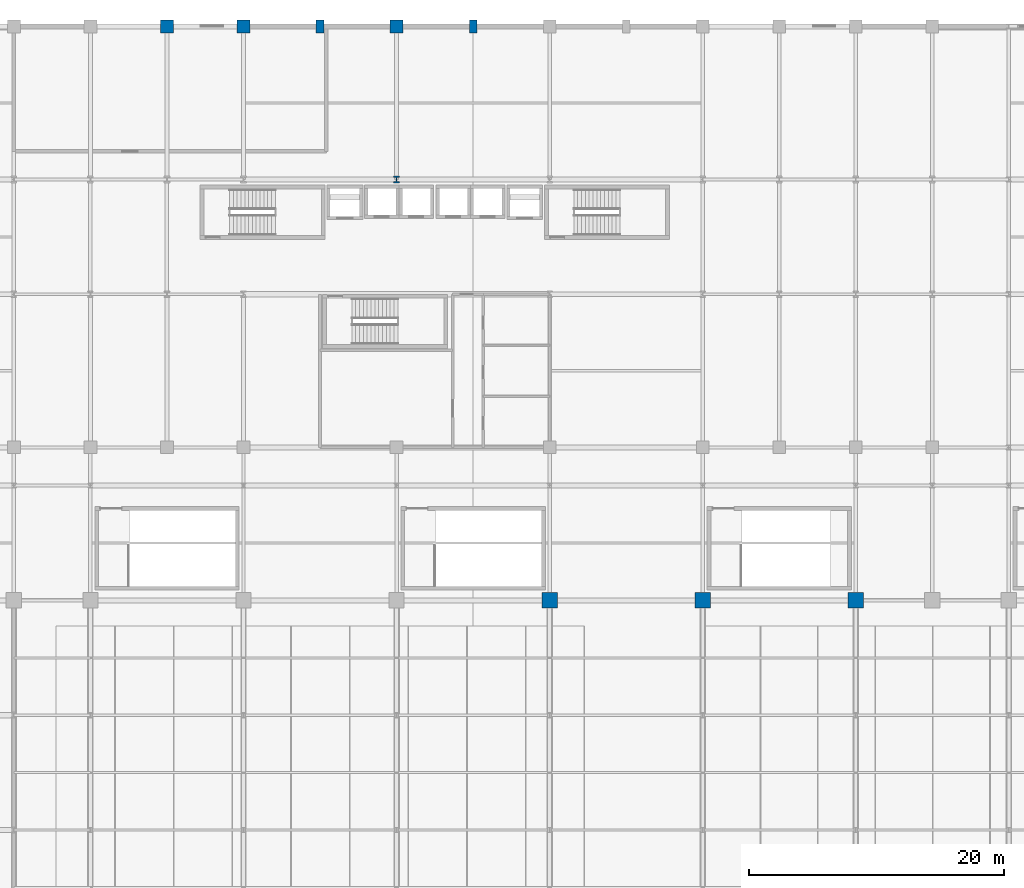
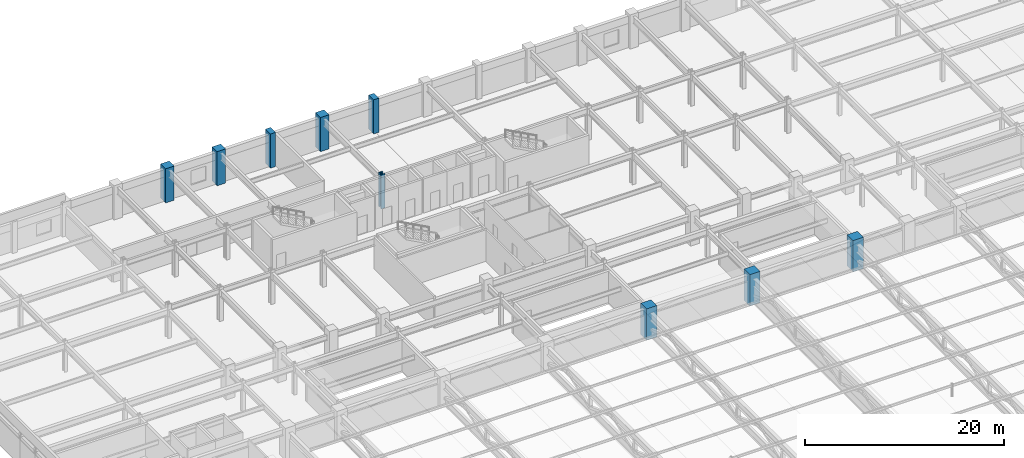
# One storey, part 10 of 108: 9 columns.
"""IFC4 building model written with IfcOpenShell, lengths in metres."""

from ifc_helpers import new_model, si_unit, direction, frame, origin, origin_2d, place, context, subcontext, project, spatial, rectangle, i_section, extrude, material, material_profile, profile_set, type_object, element, save


model = new_model("IFC4")

# Units and contexts
model_context = context("Model", 3, precision=1e-05, world=origin(), true_north=direction((0.0, 1.0)))
body_context = subcontext(model_context, "Body", "Model", "MODEL_VIEW")
ifc_project = project(units=[si_unit("LENGTHUNIT", "METRE"), si_unit("AREAUNIT", "SQUARE_METRE"), si_unit("VOLUMEUNIT", "CUBIC_METRE"), si_unit("PLANEANGLEUNIT", "RADIAN"), si_unit("MASSUNIT", "GRAM", prefix="KILO")], contexts=[model_context])

# Site, building, storey
site_placement = place(None, origin())
site = spatial("IfcSite", under=ifc_project, at=site_placement, CompositionType="ELEMENT")
building_placement = place(site_placement, origin())
building = spatial("IfcBuilding", under=site, at=building_placement, Name="Kaldorvane Square Convention Centre", CompositionType="ELEMENT")
storey_placement = place(building_placement, frame((0.0, 0.0, 23.399993896484375)))
storey = spatial("IfcBuildingStorey", under=building, at=storey_placement, Name="L04", CompositionType="ELEMENT", Elevation=23.399993896484375)

# Columns
ifc_material_1 = material(Name="Concrete f'c = 55 MPa (Normalweight)", Category="concrete")
ifc_material_profile_1 = material_profile(ifc_material_1, rectangle(XDim=1.1999969482421875, YDim=1.1999969482421875, at=origin_2d()), Name="RC1200X1200")
ifc_profile_set_1 = profile_set([ifc_material_profile_1], Name="Concrete f'c = 55 MPa (Normalweight)")
column_type_1 = type_object("IfcColumnType", Name="COL-MEGA-1200", PredefinedType="COLUMN", material=ifc_profile_set_1)
for number, where, z_axis, x_axis, name in (
    (1, (66.0, 72.0, 0.0), (0.0, 0.0, 1.0), (1.0, 0.0, 0.0), "Column MC-02 (L04)"),
    (2, (78.0, 72.0, 0.0), (0.0, 0.0, 1.0), (1.0, 0.0, 0.0), "Column MC-02 (L04)"),
    (3, (90.0, 72.0, 0.0), (0.0, 0.0, 1.0), (1.0, 0.0, 0.0), "Column MC-02 (L04)"),
):
    element("IfcColumn", number, at=place(storey_placement, frame(where, z_axis=z_axis, x_axis=x_axis)), inside=storey, type_object=column_type_1, Name=name, PredefinedType="COLUMN", context=body_context, shape_type="SweptSolid", body=[
        extrude(rectangle(XDim=1.1999969482421875, YDim=1.1999969482421875, at=origin_2d()), origin(), (0.0, 0.0, 1.0), 3.850006103515625),
    ])
ifc_material_profile_2 = material_profile(ifc_material_1, rectangle(XDim=1.0, YDim=1.0, at=origin_2d()), Name="RC1000X1000")
ifc_profile_set_2 = profile_set([ifc_material_profile_2], Name="Concrete f'c = 55 MPa (Normalweight)")
column_type_2 = type_object("IfcColumnType", Name="COL-RC-1000", PredefinedType="COLUMN", material=ifc_profile_set_2)
for number, where, z_axis, x_axis, name in (
    (4, (36.0, 117.0, 0.0), (0.0, 0.0, 1.0), (1.0, 0.0, 0.0), "Column CC-02 (L04)"),
    (5, (42.0, 117.0, 0.0), (0.0, 0.0, 1.0), (1.0, 0.0, 0.0), "Column CC-02 (L04)"),
    (6, (54.0, 117.0, 0.0), (0.0, 0.0, 1.0), (1.0, 0.0, 0.0), "Column CC-02 (L04)"),
):
    element("IfcColumn", number, at=place(storey_placement, frame(where, z_axis=z_axis, x_axis=x_axis)), inside=storey, type_object=column_type_2, Name=name, PredefinedType="COLUMN", context=body_context, shape_type="SweptSolid", body=[
        extrude(rectangle(XDim=1.0, YDim=1.0, at=origin_2d()), origin(), (0.0, 0.0, 1.0), 4.20001220703125),
    ])
ifc_material_2 = material(Name="Steel ASTM A992 Gr. 50", Category="steel")
ifc_material_profile_3 = material_profile(ifc_material_2, i_section(OverallWidth=0.4420013427734375, OverallDepth=0.531402587890625, WebThickness=0.0657958984375, FlangeThickness=0.1056976318359375, FilletRadius=0.0305023193359375, at=origin_2d()), Name="W14X605")
ifc_profile_set_3 = profile_set([ifc_material_profile_3], Name="Steel ASTM A992 Gr. 50")
column_type_3 = type_object("IfcColumnType", Name="COL-STL-605", PredefinedType="COLUMN", material=ifc_profile_set_3)
column_placement = place(storey_placement, frame((54.0, 105.0, 0.0), z_axis=(0.0, 0.0, 1.0), x_axis=(1.0, 0.0, 0.0)))
element("IfcColumn", 7, at=column_placement, inside=storey, type_object=column_type_3, Name="Column SC-02 (L04)", PredefinedType="COLUMN", context=body_context, shape_type="SweptSolid", body=[
    extrude(i_section(OverallWidth=0.4420013427734375, OverallDepth=0.531402587890625, WebThickness=0.0657958984375, FlangeThickness=0.1056976318359375, FilletRadius=0.0305023193359375, at=origin_2d()), origin(), (0.0, 0.0, 1.0), 4.20001220703125),
])
ifc_material_profile_4 = material_profile(ifc_material_1, rectangle(XDim=0.600006103515625, YDim=1.0, at=origin_2d()), Name="PIL1000X600")
ifc_profile_set_4 = profile_set([ifc_material_profile_4], Name="Concrete f'c = 55 MPa (Normalweight)")
column_type_4 = type_object("IfcColumnType", Name="PIL-BRUT-1000", PredefinedType="PILASTER", material=ifc_profile_set_4)
for number, where, z_axis, x_axis, name in (
    (8, (48.0, 117.0, 0.0), (0.0, 0.0, 1.0), (1.0, 0.0, 0.0), "Brutalist Colonnade Pilaster (L04)"),
    (9, (60.0, 117.0, 0.0), (0.0, 0.0, 1.0), (1.0, 0.0, 0.0), "Brutalist Colonnade Pilaster (L04)"),
):
    element("IfcColumn", number, at=place(storey_placement, frame(where, z_axis=z_axis, x_axis=x_axis)), inside=storey, type_object=column_type_4, Name=name, PredefinedType="PILASTER", context=body_context, shape_type="SweptSolid", body=[
        extrude(rectangle(XDim=0.600006103515625, YDim=1.0, at=origin_2d()), origin(), (0.0, 0.0, 1.0), 4.20001220703125),
    ])

save(model, "model.ifc")
